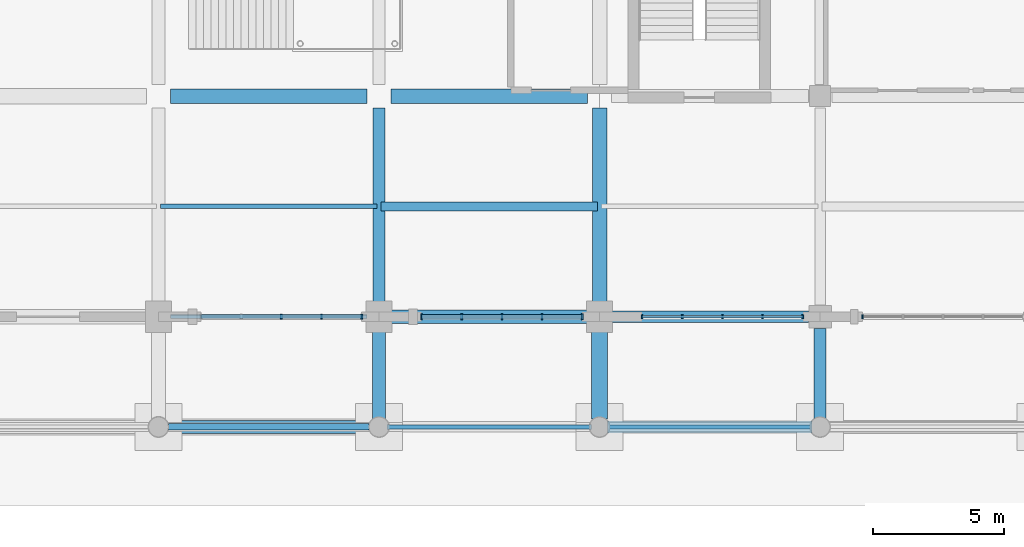
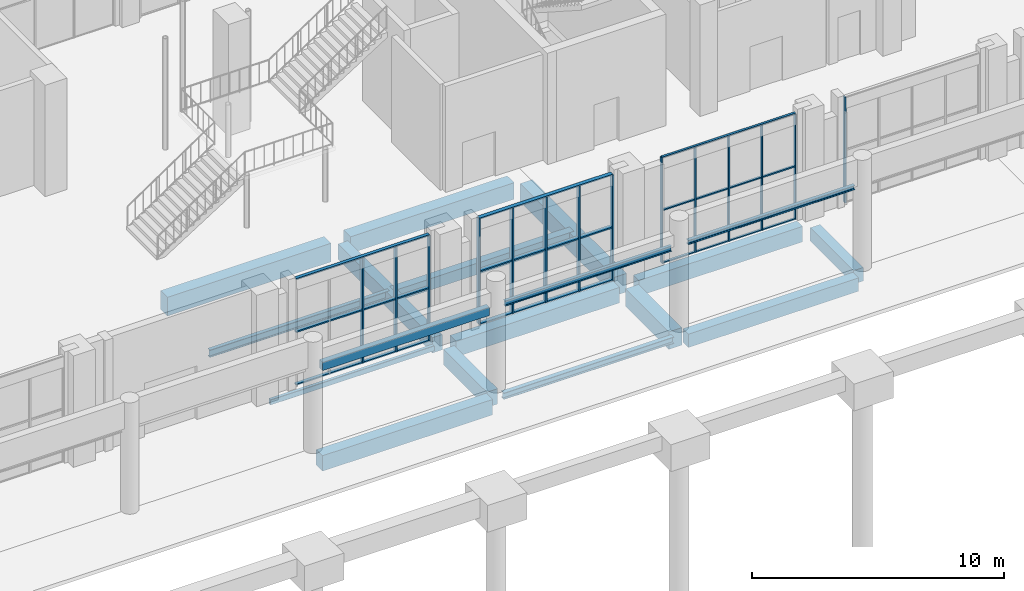
# One storey, part 26 of 82: 23 members, 18 beams, 4 elements without a shape of their own.
"""IFC4 building model written with IfcOpenShell, lengths in metres."""

from ifc_helpers import new_model, si_unit, derived_unit, direction, frame, origin, origin_2d, place, context, subcontext, project, spatial, rectangle, hollow_rectangle, i_section, extrude, material, material_profile, profile_set, type_object, element, aggregate, save


model = new_model("IFC4")

# Units and contexts
model_context = context("Model", 3, precision=1e-05, world=origin(), true_north=direction((0.0, 1.0)))
body_context = subcontext(model_context, "Body", "Model", "MODEL_VIEW")
ifc_project = project(units=[si_unit("LENGTHUNIT", "METRE"), si_unit("AREAUNIT", "SQUARE_METRE"), si_unit("VOLUMEUNIT", "CUBIC_METRE"), si_unit("PLANEANGLEUNIT", "RADIAN"), si_unit("MASSUNIT", "GRAM", prefix="KILO"), derived_unit("THERMALTRANSMITTANCEUNIT", [(si_unit("POWERUNIT", "WATT"), 1), (si_unit("LENGTHUNIT", "METRE"), -2), (si_unit("THERMODYNAMICTEMPERATUREUNIT", "KELVIN"), -1)])], contexts=[model_context])

# Site, building, storey
site_placement = place(None, origin())
site = spatial("IfcSite", under=ifc_project, at=site_placement, CompositionType="ELEMENT")
building_placement = place(site_placement, origin())
building = spatial("IfcBuilding", under=site, at=building_placement, Name="Barrovel Congress Hotel", CompositionType="ELEMENT")
storey_placement = place(building_placement, origin())
storey = spatial("IfcBuildingStorey", under=building, at=storey_placement, Name="L00", CompositionType="ELEMENT", Elevation=0.0)

# Beams
ifc_material_1 = material(Name="Concrete C40", Category="concrete")
ifc_material_profile_1 = material_profile(ifc_material_1, rectangle(XDim=0.25, YDim=0.39990234375, at=origin_2d()), Name="RC250x400")
ifc_profile_set_1 = profile_set([ifc_material_profile_1], Name="Concrete C40")
beam_type_1 = type_object("IfcBeamType", Name="BM-RC250x400", PredefinedType="LINTEL", material=ifc_profile_set_1)
beam_1_placement = place(storey_placement, frame((59.175048828125, 0.0, 3.89990234375), z_axis=(1.0, 0.0, 0.0), x_axis=(0.0, 1.0, 0.0)))
element("IfcBeam", 1, at=beam_1_placement, inside=storey, type_object=beam_type_1, Name="LIN:L00:58.8-67.2", PredefinedType="LINTEL", context=body_context, shape_type="SweptSolid", body=[
    extrude(rectangle(XDim=0.25, YDim=0.39990234375, at=origin_2d()), origin(), (0.0, 0.0, 1.0), 7.64990234375),
])
ifc_material_profile_2 = material_profile(ifc_material_1, rectangle(XDim=0.35009765625, YDim=0.550048828125, at=origin_2d()), Name="RC350x550")
ifc_profile_set_2 = profile_set([ifc_material_profile_2], Name="Concrete C40")
beam_type_2 = type_object("IfcBeamType", Name="BM-RC350x550", PredefinedType="JOIST", material=ifc_profile_set_2)
beam_2_placement = place(storey_placement, frame((67.280029296875, 8.39990234375, -0.594970703125), z_axis=(1.0, 0.0, 0.0), x_axis=(0.0, 1.0, 0.0)))
element("IfcBeam", 2, at=beam_2_placement, inside=storey, type_object=beam_type_2, Name="JST:L00:67.2:8.4", PredefinedType="JOIST", context=body_context, shape_type="SweptSolid", body=[
    extrude(rectangle(XDim=0.35009765625, YDim=0.550048828125, at=origin_2d()), origin(), (0.0, 0.0, 1.0), 8.239990234375),
])
ifc_material_profile_3 = material_profile(ifc_material_1, rectangle(XDim=0.449951171875, YDim=0.64990234375, at=origin_2d()), Name="RC450x650")
ifc_profile_set_3 = profile_set([ifc_material_profile_3], Name="Concrete C40")
beam_type_3 = type_object("IfcBeamType", Name="BM-RC450x650", PredefinedType="BEAM", material=ifc_profile_set_3)
beam_3_placement = place(storey_placement, frame((75.89990234375, 0.0, -0.64501953125), z_axis=(1.0, 0.0, 0.0), x_axis=(0.0, 1.0, 0.0)))
element("IfcBeam", 3, at=beam_3_placement, inside=storey, type_object=beam_type_3, Name="BMX:L00:0.0:75.6-84.0", PredefinedType="BEAM", context=body_context, shape_type="SweptSolid", body=[
    extrude(rectangle(XDim=0.449951171875, YDim=0.64990234375, at=origin_2d()), origin(), (0.0, 0.0, 1.0), 7.800048828125),
])
beam_4_placement = place(storey_placement, frame((84.0, 0.300048828125, -0.64501953125), z_axis=(0.0, 1.0, 0.0), x_axis=(-1.0, 0.0, 0.0)))
element("IfcBeam", 4, at=beam_4_placement, inside=storey, type_object=beam_type_3, Name="BMY:L00:84.0:0.0-4.2", PredefinedType="BEAM", context=body_context, shape_type="SweptSolid", body=[
    extrude(rectangle(XDim=0.449951171875, YDim=0.64990234375, at=origin_2d()), origin(), (0.0, 0.0, 1.0), 3.449951171875),
])
ifc_material_profile_4 = material_profile(ifc_material_1, rectangle(XDim=0.449951171875, YDim=0.75, at=origin_2d()), Name="RC450x750")
ifc_profile_set_4 = profile_set([ifc_material_profile_4], Name="Concrete C40")
beam_type_4 = type_object("IfcBeamType", Name="BM-RC450x750", PredefinedType="BEAM", material=ifc_profile_set_4)
for number, where, z_axis, x_axis, name in (
    (5, (76.050048828125, 4.199951171875, -0.695068359375), (1.0, 0.0, 0.0), (0.0, 1.0, 0.0), "BMX:L00:4.2:75.6-84.0"),
    (6, (67.199951171875, 4.64990234375, -0.695068359375), (0.0, 1.0, 0.0), (-1.0, 0.0, 0.0), "BMY:L00:67.2:4.2-12.6"),
):
    element("IfcBeam", number, at=place(storey_placement, frame(where, z_axis=z_axis, x_axis=x_axis)), inside=storey, type_object=beam_type_4, Name=name, PredefinedType="BEAM", context=body_context, shape_type="SweptSolid", body=[
        extrude(rectangle(XDim=0.449951171875, YDim=0.75, at=origin_2d()), origin(), (0.0, 0.0, 1.0), 7.5),
    ])
ifc_material_profile_5 = material_profile(ifc_material_1, rectangle(XDim=0.5, YDim=0.75, at=origin_2d()), Name="RC500x750")
ifc_profile_set_5 = profile_set([ifc_material_profile_5], Name="Concrete C40")
beam_type_5 = type_object("IfcBeamType", Name="BM-RC500x750", PredefinedType="BEAM", material=ifc_profile_set_5)
beam_5_placement = place(storey_placement, frame((59.10009765625, 0.0, -0.695068359375), z_axis=(1.0, 0.0, 0.0), x_axis=(0.0, 1.0, 0.0)))
element("IfcBeam", 7, at=beam_5_placement, inside=storey, type_object=beam_type_5, Name="BMX:L00:0.0:58.8-67.2", PredefinedType="BEAM", context=body_context, shape_type="SweptSolid", body=[
    extrude(rectangle(XDim=0.5, YDim=0.75, at=origin_2d()), origin(), (0.0, 0.0, 1.0), 7.7998046875),
])
beam_6_placement = place(storey_placement, frame((67.64990234375, 4.199951171875, -0.695068359375), z_axis=(1.0, 0.0, 0.0), x_axis=(0.0, 1.0, 0.0)))
element("IfcBeam", 8, at=beam_6_placement, inside=storey, type_object=beam_type_5, Name="BMX:L00:4.2:67.2-75.6", PredefinedType="BEAM", context=body_context, shape_type="SweptSolid", body=[
    extrude(rectangle(XDim=0.5, YDim=0.75, at=origin_2d()), origin(), (0.0, 0.0, 1.0), 7.5),
])
beam_7_placement = place(storey_placement, frame((67.199951171875, 0.300048828125, -0.695068359375), z_axis=(0.0, 1.0, 0.0), x_axis=(-1.0, 0.0, 0.0)))
element("IfcBeam", 9, at=beam_7_placement, inside=storey, type_object=beam_type_5, Name="BMY:L00:67.2:0.0-4.2", PredefinedType="BEAM", context=body_context, shape_type="SweptSolid", body=[
    extrude(rectangle(XDim=0.5, YDim=0.75, at=origin_2d()), origin(), (0.0, 0.0, 1.0), 3.449951171875),
])
ifc_material_profile_6 = material_profile(ifc_material_1, rectangle(XDim=0.550048828125, YDim=0.800048828125, at=origin_2d()), Name="RC550x800")
ifc_profile_set_6 = profile_set([ifc_material_profile_6], Name="Concrete C40")
beam_type_6 = type_object("IfcBeamType", Name="BM-RC550x800", PredefinedType="BEAM", material=ifc_profile_set_6)
beam_8_placement = place(storey_placement, frame((67.64990234375, 12.60009765625, -0.719970703125), z_axis=(1.0, 0.0, 0.0), x_axis=(0.0, 1.0, 0.0)))
element("IfcBeam", 10, at=beam_8_placement, inside=storey, type_object=beam_type_6, Name="BMX:L00:12.6:67.2-75.6", PredefinedType="BEAM", context=body_context, shape_type="SweptSolid", body=[
    extrude(rectangle(XDim=0.550048828125, YDim=0.800048828125, at=origin_2d()), origin(), (0.0, 0.0, 1.0), 7.5),
])
ifc_material_profile_7 = material_profile(ifc_material_1, rectangle(XDim=0.550048828125, YDim=0.89990234375, at=origin_2d()), Name="RC550x900")
ifc_profile_set_7 = profile_set([ifc_material_profile_7], Name="Concrete C40")
beam_type_7 = type_object("IfcBeamType", Name="BM-RC550x900", PredefinedType="BEAM", material=ifc_profile_set_7)
for number, where, z_axis, x_axis, name in (
    (11, (59.25, 12.60009765625, -0.77001953125), (1.0, 0.0, 0.0), (0.0, 1.0, 0.0), "BMX:L00:12.6:58.8-67.2"),
    (12, (75.60009765625, 4.64990234375, -0.77001953125), (0.0, 1.0, 0.0), (-1.0, 0.0, 0.0), "BMY:L00:75.6:4.2-12.6"),
):
    element("IfcBeam", number, at=place(storey_placement, frame(where, z_axis=z_axis, x_axis=x_axis)), inside=storey, type_object=beam_type_7, Name=name, PredefinedType="BEAM", context=body_context, shape_type="SweptSolid", body=[
        extrude(rectangle(XDim=0.550048828125, YDim=0.89990234375, at=origin_2d()), origin(), (0.0, 0.0, 1.0), 7.5),
    ])
ifc_material_profile_8 = material_profile(ifc_material_1, rectangle(XDim=0.60009765625, YDim=0.85009765625, at=origin_2d()), Name="RC600x850")
ifc_profile_set_8 = profile_set([ifc_material_profile_8], Name="Concrete C40")
beam_type_8 = type_object("IfcBeamType", Name="BM-RC600x850", PredefinedType="BEAM", material=ifc_profile_set_8)
beam_9_placement = place(storey_placement, frame((75.60009765625, 0.300048828125, -0.7451171875), z_axis=(0.0, 1.0, 0.0), x_axis=(-1.0, 0.0, 0.0)))
element("IfcBeam", 13, at=beam_9_placement, inside=storey, type_object=beam_type_8, Name="BMY:L00:75.6:0.0-4.2", PredefinedType="BEAM", context=body_context, shape_type="SweptSolid", body=[
    extrude(rectangle(XDim=0.60009765625, YDim=0.85009765625, at=origin_2d()), origin(), (0.0, 0.0, 1.0), 3.449951171875),
])

# Curtain wall, members
ifc_material_2 = material(Name="Anodised Aluminium Alloy 6063-T6", Category="aluminium")
curtain_wall_type = type_object("IfcCurtainWallType", Name="CW-ST-7200x4800", PredefinedType="USERDEFINED", material=ifc_material_2)
curtain_wall_1_placement = place(storey_placement, origin())
curtain_wall_1 = element("IfcCurtainWall", 14, at=curtain_wall_1_placement, inside=storey, type_object=curtain_wall_type, Name="CW:L00:S:09", ObjectType="STICK CURTAIN WALL", PredefinedType="USERDEFINED")
ifc_material_profile_9 = material_profile(ifc_material_2, rectangle(XDim=0.06005859375, YDim=0.139892578125, at=origin_2d()), Name="AL-M60x140")
ifc_profile_set_9 = profile_set([ifc_material_profile_9], Name="Anodised Aluminium Alloy 6063-T6")
member_type_1 = type_object("IfcMemberType", Name="CWM-AL-M60x140", PredefinedType="MULLION", material=ifc_profile_set_9)
member_1_placement = place(storey_placement, frame((77.219970703125, 4.199951171875, 0.0), z_axis=(0.0, 0.0, 1.0), x_axis=(1.0, 0.0, 0.0)))
member_1 = element("IfcMember", 15, at=member_1_placement, type_object=member_type_1, Name="CW:L00:S:09:M0", PredefinedType="MULLION", context=body_context, shape_type="SweptSolid", body=[
    extrude(rectangle(XDim=0.06005859375, YDim=0.139892578125, at=origin_2d()), origin(), (0.0, 0.0, 1.0), 5.1201171875),
])
member_2_placement = place(storey_placement, frame((78.75, 4.199951171875, 0.0), z_axis=(0.0, 0.0, 1.0), x_axis=(1.0, 0.0, 0.0)))
member_2 = element("IfcMember", 16, at=member_2_placement, type_object=member_type_1, Name="CW:L00:S:09:M1", PredefinedType="MULLION", context=body_context, shape_type="SweptSolid", body=[
    extrude(rectangle(XDim=0.06005859375, YDim=0.139892578125, at=origin_2d()), origin(), (0.0, 0.0, 1.0), 5.1201171875),
])
member_3_placement = place(storey_placement, frame((80.280029296875, 4.199951171875, 0.0), z_axis=(0.0, 0.0, 1.0), x_axis=(1.0, 0.0, 0.0)))
member_3 = element("IfcMember", 17, at=member_3_placement, type_object=member_type_1, Name="CW:L00:S:09:M2", PredefinedType="MULLION", context=body_context, shape_type="SweptSolid", body=[
    extrude(rectangle(XDim=0.06005859375, YDim=0.139892578125, at=origin_2d()), origin(), (0.0, 0.0, 1.0), 5.1201171875),
])
member_4_placement = place(storey_placement, frame((81.81005859375, 4.199951171875, 0.0), z_axis=(0.0, 0.0, 1.0), x_axis=(1.0, 0.0, 0.0)))
member_4 = element("IfcMember", 18, at=member_4_placement, type_object=member_type_1, Name="CW:L00:S:09:M3", PredefinedType="MULLION", context=body_context, shape_type="SweptSolid", body=[
    extrude(rectangle(XDim=0.06005859375, YDim=0.139892578125, at=origin_2d()), origin(), (0.0, 0.0, 1.0), 5.1201171875),
])
member_5_placement = place(storey_placement, frame((83.340087890625, 4.199951171875, 0.0), z_axis=(0.0, 0.0, 1.0), x_axis=(1.0, 0.0, 0.0)))
member_5 = element("IfcMember", 19, at=member_5_placement, type_object=member_type_1, Name="CW:L00:S:09:M4", PredefinedType="MULLION", context=body_context, shape_type="SweptSolid", body=[
    extrude(rectangle(XDim=0.06005859375, YDim=0.139892578125, at=origin_2d()), origin(), (0.0, 0.0, 1.0), 5.1201171875),
])

# Curtain wall, member
curtain_wall_2_placement = place(storey_placement, origin())
curtain_wall_2 = element("IfcCurtainWall", 20, at=curtain_wall_2_placement, inside=storey, type_object=curtain_wall_type, Name="CW:L00:S:10", ObjectType="STICK CURTAIN WALL", PredefinedType="USERDEFINED")
ifc_material_profile_10 = material_profile(ifc_material_2, rectangle(XDim=0.06005859375, YDim=0.1650390625, at=origin_2d()), Name="AL-M60x165")
ifc_profile_set_10 = profile_set([ifc_material_profile_10], Name="Anodised Aluminium Alloy 6063-T6")
member_type_2 = type_object("IfcMemberType", Name="CWM-AL-M60x165", PredefinedType="MULLION", material=ifc_profile_set_10)
member_6_placement = place(storey_placement, frame((85.6201171875, 4.199951171875, 0.0), z_axis=(0.0, 0.0, 1.0), x_axis=(1.0, 0.0, 0.0)))
member_6 = element("IfcMember", 21, at=member_6_placement, type_object=member_type_2, Name="CW:L00:S:10:M0", PredefinedType="MULLION", context=body_context, shape_type="SweptSolid", body=[
    extrude(rectangle(XDim=0.06005859375, YDim=0.1650390625, at=origin_2d()), origin(), (0.0, 0.0, 1.0), 5.1201171875),
])
aggregate(curtain_wall_2, [member_6])

# Curtain wall, members
curtain_wall_3_placement = place(storey_placement, origin())
curtain_wall_3 = element("IfcCurtainWall", 22, at=curtain_wall_3_placement, inside=storey, type_object=curtain_wall_type, Name="CW:L00:S:07", ObjectType="STICK CURTAIN WALL", PredefinedType="USERDEFINED")
ifc_material_profile_11 = material_profile(ifc_material_2, rectangle(XDim=0.06494140625, YDim=0.18994140625, at=origin_2d()), Name="AL-M65x190")
ifc_profile_set_11 = profile_set([ifc_material_profile_11], Name="Anodised Aluminium Alloy 6063-T6")
member_type_3 = type_object("IfcMemberType", Name="CWM-AL-M65x190", PredefinedType="MULLION", material=ifc_profile_set_11)
member_7_placement = place(storey_placement, frame((63.47998046875, 4.199951171875, 0.0), z_axis=(0.0, 0.0, 1.0), x_axis=(1.0, 0.0, 0.0)))
member_7 = element("IfcMember", 23, at=member_7_placement, type_object=member_type_3, Name="CW:L00:S:07:M2", PredefinedType="MULLION", context=body_context, shape_type="SweptSolid", body=[
    extrude(rectangle(XDim=0.06494140625, YDim=0.18994140625, at=origin_2d()), origin(), (0.0, 0.0, 1.0), 5.1201171875),
])
member_8_placement = place(storey_placement, frame((65.010009765625, 4.199951171875, 0.0), z_axis=(0.0, 0.0, 1.0), x_axis=(1.0, 0.0, 0.0)))
member_8 = element("IfcMember", 24, at=member_8_placement, type_object=member_type_3, Name="CW:L00:S:07:M3", PredefinedType="MULLION", context=body_context, shape_type="SweptSolid", body=[
    extrude(rectangle(XDim=0.06494140625, YDim=0.18994140625, at=origin_2d()), origin(), (0.0, 0.0, 1.0), 5.1201171875),
])
member_9_placement = place(storey_placement, frame((66.5400390625, 4.199951171875, 0.0), z_axis=(0.0, 0.0, 1.0), x_axis=(1.0, 0.0, 0.0)))
member_9 = element("IfcMember", 25, at=member_9_placement, type_object=member_type_3, Name="CW:L00:S:07:M4", PredefinedType="MULLION", context=body_context, shape_type="SweptSolid", body=[
    extrude(rectangle(XDim=0.06494140625, YDim=0.18994140625, at=origin_2d()), origin(), (0.0, 0.0, 1.0), 5.1201171875),
])

curtain_wall_4_placement = place(storey_placement, origin())
curtain_wall_4 = element("IfcCurtainWall", 26, at=curtain_wall_4_placement, inside=storey, type_object=curtain_wall_type, Name="CW:L00:S:08", ObjectType="STICK CURTAIN WALL", PredefinedType="USERDEFINED")
ifc_material_profile_12 = material_profile(ifc_material_2, rectangle(XDim=0.06494140625, YDim=0.219970703125, at=origin_2d()), Name="AL-M65x220")
ifc_profile_set_12 = profile_set([ifc_material_profile_12], Name="Anodised Aluminium Alloy 6063-T6")
member_type_4 = type_object("IfcMemberType", Name="CWM-AL-M65x220", PredefinedType="MULLION", material=ifc_profile_set_12)
member_10_placement = place(storey_placement, frame((68.820068359375, 4.199951171875, 0.0), z_axis=(0.0, 0.0, 1.0), x_axis=(1.0, 0.0, 0.0)))
member_10 = element("IfcMember", 27, at=member_10_placement, type_object=member_type_4, Name="CW:L00:S:08:M0", PredefinedType="MULLION", context=body_context, shape_type="SweptSolid", body=[
    extrude(rectangle(XDim=0.06494140625, YDim=0.219970703125, at=origin_2d()), origin(), (0.0, 0.0, 1.0), 5.1201171875),
])
member_11_placement = place(storey_placement, frame((70.35009765625, 4.199951171875, 0.0), z_axis=(0.0, 0.0, 1.0), x_axis=(1.0, 0.0, 0.0)))
member_11 = element("IfcMember", 28, at=member_11_placement, type_object=member_type_4, Name="CW:L00:S:08:M1", PredefinedType="MULLION", context=body_context, shape_type="SweptSolid", body=[
    extrude(rectangle(XDim=0.06494140625, YDim=0.219970703125, at=origin_2d()), origin(), (0.0, 0.0, 1.0), 5.1201171875),
])
member_12_placement = place(storey_placement, frame((71.8798828125, 4.199951171875, 0.0), z_axis=(0.0, 0.0, 1.0), x_axis=(1.0, 0.0, 0.0)))
member_12 = element("IfcMember", 29, at=member_12_placement, type_object=member_type_4, Name="CW:L00:S:08:M2", PredefinedType="MULLION", context=body_context, shape_type="SweptSolid", body=[
    extrude(rectangle(XDim=0.06494140625, YDim=0.219970703125, at=origin_2d()), origin(), (0.0, 0.0, 1.0), 5.1201171875),
])
member_13_placement = place(storey_placement, frame((73.409912109375, 4.199951171875, 0.0), z_axis=(0.0, 0.0, 1.0), x_axis=(1.0, 0.0, 0.0)))
member_13 = element("IfcMember", 30, at=member_13_placement, type_object=member_type_4, Name="CW:L00:S:08:M3", PredefinedType="MULLION", context=body_context, shape_type="SweptSolid", body=[
    extrude(rectangle(XDim=0.06494140625, YDim=0.219970703125, at=origin_2d()), origin(), (0.0, 0.0, 1.0), 5.1201171875),
])
member_14_placement = place(storey_placement, frame((74.93994140625, 4.199951171875, 0.0), z_axis=(0.0, 0.0, 1.0), x_axis=(1.0, 0.0, 0.0)))
member_14 = element("IfcMember", 31, at=member_14_placement, type_object=member_type_4, Name="CW:L00:S:08:M4", PredefinedType="MULLION", context=body_context, shape_type="SweptSolid", body=[
    extrude(rectangle(XDim=0.06494140625, YDim=0.219970703125, at=origin_2d()), origin(), (0.0, 0.0, 1.0), 5.1201171875),
])

# Member
ifc_material_profile_13 = material_profile(ifc_material_2, rectangle(XDim=0.10498046875, YDim=0.06005859375, at=origin_2d()), Name="AL-T60x105")
ifc_profile_set_13 = profile_set([ifc_material_profile_13], Name="Anodised Aluminium Alloy 6063-T6")
member_type_5 = type_object("IfcMemberType", Name="CWT-AL-T60x105", PredefinedType="USERDEFINED", material=ifc_profile_set_13)
member_15_placement = place(storey_placement, frame((77.219970703125, 4.199951171875, 0.0), z_axis=(1.0, 0.0, 0.0), x_axis=(0.0, 1.0, 0.0)))
member_15 = element("IfcMember", 32, at=member_15_placement, type_object=member_type_5, Name="CW:L00:S:09:T0", ObjectType="TRANSOM", PredefinedType="USERDEFINED", context=body_context, shape_type="SweptSolid", body=[
    extrude(rectangle(XDim=0.10498046875, YDim=0.06005859375, at=origin_2d()), origin(), (0.0, 0.0, 1.0), 6.1201171875),
])

member_16_placement = place(storey_placement, frame((77.219970703125, 4.199951171875, 2.56005859375), z_axis=(1.0, 0.0, 0.0), x_axis=(0.0, 1.0, 0.0)))
member_16 = element("IfcMember", 33, at=member_16_placement, type_object=member_type_5, Name="CW:L00:S:09:T1", ObjectType="TRANSOM", PredefinedType="USERDEFINED", context=body_context, shape_type="SweptSolid", body=[
    extrude(rectangle(XDim=0.10498046875, YDim=0.06005859375, at=origin_2d()), origin(), (0.0, 0.0, 1.0), 6.1201171875),
])

member_17_placement = place(storey_placement, frame((77.219970703125, 4.199951171875, 5.1201171875), z_axis=(1.0, 0.0, 0.0), x_axis=(0.0, 1.0, 0.0)))
member_17 = element("IfcMember", 34, at=member_17_placement, type_object=member_type_5, Name="CW:L00:S:09:T2", ObjectType="TRANSOM", PredefinedType="USERDEFINED", context=body_context, shape_type="SweptSolid", body=[
    extrude(rectangle(XDim=0.10498046875, YDim=0.06005859375, at=origin_2d()), origin(), (0.0, 0.0, 1.0), 6.1201171875),
])

aggregate(curtain_wall_1, [member_1, member_2, member_3, member_4, member_5, member_15, member_16, member_17])

ifc_material_profile_14 = material_profile(ifc_material_2, rectangle(XDim=0.14990234375, YDim=0.06494140625, at=origin_2d()), Name="AL-T65x150")
ifc_profile_set_14 = profile_set([ifc_material_profile_14], Name="Anodised Aluminium Alloy 6063-T6")
member_type_6 = type_object("IfcMemberType", Name="CWT-AL-T65x150", PredefinedType="USERDEFINED", material=ifc_profile_set_14)
member_18_placement = place(storey_placement, frame((60.419921875, 4.199951171875, 0.0), z_axis=(1.0, 0.0, 0.0), x_axis=(0.0, 1.0, 0.0)))
member_18 = element("IfcMember", 35, at=member_18_placement, type_object=member_type_6, Name="CW:L00:S:07:T0", ObjectType="TRANSOM", PredefinedType="USERDEFINED", context=body_context, shape_type="SweptSolid", body=[
    extrude(rectangle(XDim=0.14990234375, YDim=0.06494140625, at=origin_2d()), origin(), (0.0, 0.0, 1.0), 6.1201171875),
])

member_19_placement = place(storey_placement, frame((60.419921875, 4.199951171875, 2.56005859375), z_axis=(1.0, 0.0, 0.0), x_axis=(0.0, 1.0, 0.0)))
member_19 = element("IfcMember", 36, at=member_19_placement, type_object=member_type_6, Name="CW:L00:S:07:T1", ObjectType="TRANSOM", PredefinedType="USERDEFINED", context=body_context, shape_type="SweptSolid", body=[
    extrude(rectangle(XDim=0.14990234375, YDim=0.06494140625, at=origin_2d()), origin(), (0.0, 0.0, 1.0), 6.1201171875),
])

member_20_placement = place(storey_placement, frame((60.419921875, 4.199951171875, 5.1201171875), z_axis=(1.0, 0.0, 0.0), x_axis=(0.0, 1.0, 0.0)))
member_20 = element("IfcMember", 37, at=member_20_placement, type_object=member_type_6, Name="CW:L00:S:07:T2", ObjectType="TRANSOM", PredefinedType="USERDEFINED", context=body_context, shape_type="SweptSolid", body=[
    extrude(rectangle(XDim=0.14990234375, YDim=0.06494140625, at=origin_2d()), origin(), (0.0, 0.0, 1.0), 6.1201171875),
])

aggregate(curtain_wall_3, [member_7, member_8, member_9, member_18, member_19, member_20])

ifc_material_profile_15 = material_profile(ifc_material_2, rectangle(XDim=0.179931640625, YDim=0.06494140625, at=origin_2d()), Name="AL-T65x180")
ifc_profile_set_15 = profile_set([ifc_material_profile_15], Name="Anodised Aluminium Alloy 6063-T6")
member_type_7 = type_object("IfcMemberType", Name="CWT-AL-T65x180", PredefinedType="USERDEFINED", material=ifc_profile_set_15)
member_21_placement = place(storey_placement, frame((68.820068359375, 4.199951171875, 0.0), z_axis=(1.0, 0.0, 0.0), x_axis=(0.0, 1.0, 0.0)))
member_21 = element("IfcMember", 38, at=member_21_placement, type_object=member_type_7, Name="CW:L00:S:08:T0", ObjectType="TRANSOM", PredefinedType="USERDEFINED", context=body_context, shape_type="SweptSolid", body=[
    extrude(rectangle(XDim=0.179931640625, YDim=0.06494140625, at=origin_2d()), origin(), (0.0, 0.0, 1.0), 6.119873046875),
])

member_22_placement = place(storey_placement, frame((68.820068359375, 4.199951171875, 2.56005859375), z_axis=(1.0, 0.0, 0.0), x_axis=(0.0, 1.0, 0.0)))
member_22 = element("IfcMember", 39, at=member_22_placement, type_object=member_type_7, Name="CW:L00:S:08:T1", ObjectType="TRANSOM", PredefinedType="USERDEFINED", context=body_context, shape_type="SweptSolid", body=[
    extrude(rectangle(XDim=0.179931640625, YDim=0.06494140625, at=origin_2d()), origin(), (0.0, 0.0, 1.0), 6.119873046875),
])

member_23_placement = place(storey_placement, frame((68.820068359375, 4.199951171875, 5.1201171875), z_axis=(1.0, 0.0, 0.0), x_axis=(0.0, 1.0, 0.0)))
member_23 = element("IfcMember", 40, at=member_23_placement, type_object=member_type_7, Name="CW:L00:S:08:T2", ObjectType="TRANSOM", PredefinedType="USERDEFINED", context=body_context, shape_type="SweptSolid", body=[
    extrude(rectangle(XDim=0.179931640625, YDim=0.06494140625, at=origin_2d()), origin(), (0.0, 0.0, 1.0), 6.119873046875),
])

aggregate(curtain_wall_4, [member_10, member_11, member_12, member_13, member_14, member_21, member_22, member_23])

# Beams
ifc_material_3 = material(Name="Steel ASTM A500 Grade C", Category="steel")
ifc_material_profile_16 = material_profile(ifc_material_3, hollow_rectangle(XDim=0.15234375, YDim=0.25390625, WallThickness=0.0087890625, InnerFilletRadius=0.0087890625, OuterFilletRadius=0.017578125, at=origin_2d()), Name="HSS254x152x9.5")
ifc_profile_set_16 = profile_set([ifc_material_profile_16], Name="Steel ASTM A500 Grade C")
beam_type_9 = type_object("IfcBeamType", Name="SBM-HSS254x152x9.5", PredefinedType="SPANDREL", material=ifc_profile_set_16)
beam_10_placement = place(storey_placement, frame((59.25, 4.199951171875, -0.447021484375), z_axis=(1.0, 0.0, 0.0), x_axis=(0.0, 1.0, 0.0)))
element("IfcBeam", 41, at=beam_10_placement, inside=storey, type_object=beam_type_9, Name="BMX:L00:4.2:58.8-67.2", PredefinedType="SPANDREL", context=body_context, shape_type="SweptSolid", body=[
    extrude(hollow_rectangle(XDim=0.15234375, YDim=0.25390625, WallThickness=0.0087890625, InnerFilletRadius=0.0087890625, OuterFilletRadius=0.017578125, at=origin_2d()), origin(), (0.0, 0.0, 1.0), 7.5),
])
ifc_material_4 = material(Name="Steel ASTM A992 Grade 50", Category="steel")
ifc_material_profile_17 = material_profile(ifc_material_4, i_section(OverallWidth=0.166015625, OverallDepth=0.205078125, WebThickness=0.007080078125, FlangeThickness=0.01171875, FilletRadius=0.010009765625, at=origin_2d()), Name="W200x42")
ifc_profile_set_17 = profile_set([ifc_material_profile_17], Name="Steel ASTM A992 Grade 50")
beam_type_10 = type_object("IfcBeamType", Name="SBM-W200x42", PredefinedType="LINTEL", material=ifc_profile_set_17)
beam_11_placement = place(storey_placement, frame((75.97509765625, 0.0, 3.99755859375), z_axis=(1.0, 0.0, 0.0), x_axis=(0.0, 1.0, 0.0)))
element("IfcBeam", 42, at=beam_11_placement, inside=storey, type_object=beam_type_10, Name="LIN:L00:75.6-84.0", PredefinedType="LINTEL", context=body_context, shape_type="SweptSolid", body=[
    extrude(i_section(OverallWidth=0.166015625, OverallDepth=0.205078125, WebThickness=0.007080078125, FlangeThickness=0.01171875, FilletRadius=0.010009765625, at=origin_2d()), origin(), (0.0, 0.0, 1.0), 7.64990234375),
])
ifc_material_profile_18 = material_profile(ifc_material_4, i_section(OverallWidth=0.14599609375, OverallDepth=0.258056640625, WebThickness=0.006103515625, FlangeThickness=0.009033203125, FilletRadius=0.010009765625, at=origin_2d()), Name="W250x33")
ifc_profile_set_18 = profile_set([ifc_material_profile_18], Name="Steel ASTM A992 Grade 50")
beam_type_11 = type_object("IfcBeamType", Name="SBM-W250x33", PredefinedType="LINTEL", material=ifc_profile_set_18)
beam_12_placement = place(storey_placement, frame((67.574951171875, 0.0, 3.970947265625), z_axis=(1.0, 0.0, 0.0), x_axis=(0.0, 1.0, 0.0)))
element("IfcBeam", 43, at=beam_12_placement, inside=storey, type_object=beam_type_11, Name="LIN:L00:67.2-75.6", PredefinedType="LINTEL", context=body_context, shape_type="SweptSolid", body=[
    extrude(i_section(OverallWidth=0.14599609375, OverallDepth=0.258056640625, WebThickness=0.006103515625, FlangeThickness=0.009033203125, FilletRadius=0.010009765625, at=origin_2d()), origin(), (0.0, 0.0, 1.0), 7.650146484375),
])
ifc_material_profile_19 = material_profile(ifc_material_4, i_section(OverallWidth=0.205078125, OverallDepth=0.31005859375, WebThickness=0.009521484375, FlangeThickness=0.016357421875, FilletRadius=0.012939453125, at=origin_2d()), Name="W310x74")
ifc_profile_set_19 = profile_set([ifc_material_profile_19], Name="Steel ASTM A992 Grade 50")
beam_type_12 = type_object("IfcBeamType", Name="SBM-W310x74", PredefinedType="SPANDREL", material=ifc_profile_set_19)
beam_13_placement = place(storey_placement, frame((67.5, 0.0, -0.47509765625), z_axis=(1.0, 0.0, 0.0), x_axis=(0.0, 1.0, 0.0)))
element("IfcBeam", 44, at=beam_13_placement, inside=storey, type_object=beam_type_12, Name="BMX:L00:0.0:67.2-75.6", PredefinedType="SPANDREL", context=body_context, shape_type="SweptSolid", body=[
    extrude(i_section(OverallWidth=0.205078125, OverallDepth=0.31005859375, WebThickness=0.009521484375, FlangeThickness=0.016357421875, FilletRadius=0.012939453125, at=origin_2d()), origin(), (0.0, 0.0, 1.0), 7.800048828125),
])
ifc_material_profile_20 = material_profile(ifc_material_4, i_section(OverallWidth=0.172119140625, OverallDepth=0.35791015625, WebThickness=0.0078125, FlangeThickness=0.01318359375, FilletRadius=0.011962890625, at=origin_2d()), Name="W360x57")
ifc_profile_set_20 = profile_set([ifc_material_profile_20], Name="Steel ASTM A992 Grade 50")
beam_type_13 = type_object("IfcBeamType", Name="SBM-W360x57", PredefinedType="JOIST", material=ifc_profile_set_20)
beam_14_placement = place(storey_placement, frame((58.8798828125, 8.39990234375, -0.4990234375), z_axis=(1.0, 0.0, 0.0), x_axis=(0.0, 1.0, 0.0)))
element("IfcBeam", 45, at=beam_14_placement, inside=storey, type_object=beam_type_13, Name="JST:L00:58.8:8.4", PredefinedType="JOIST", context=body_context, shape_type="SweptSolid", body=[
    extrude(i_section(OverallWidth=0.172119140625, OverallDepth=0.35791015625, WebThickness=0.0078125, FlangeThickness=0.01318359375, FilletRadius=0.011962890625, at=origin_2d()), origin(), (0.0, 0.0, 1.0), 8.240234375),
])

save(model, "model.ifc")
